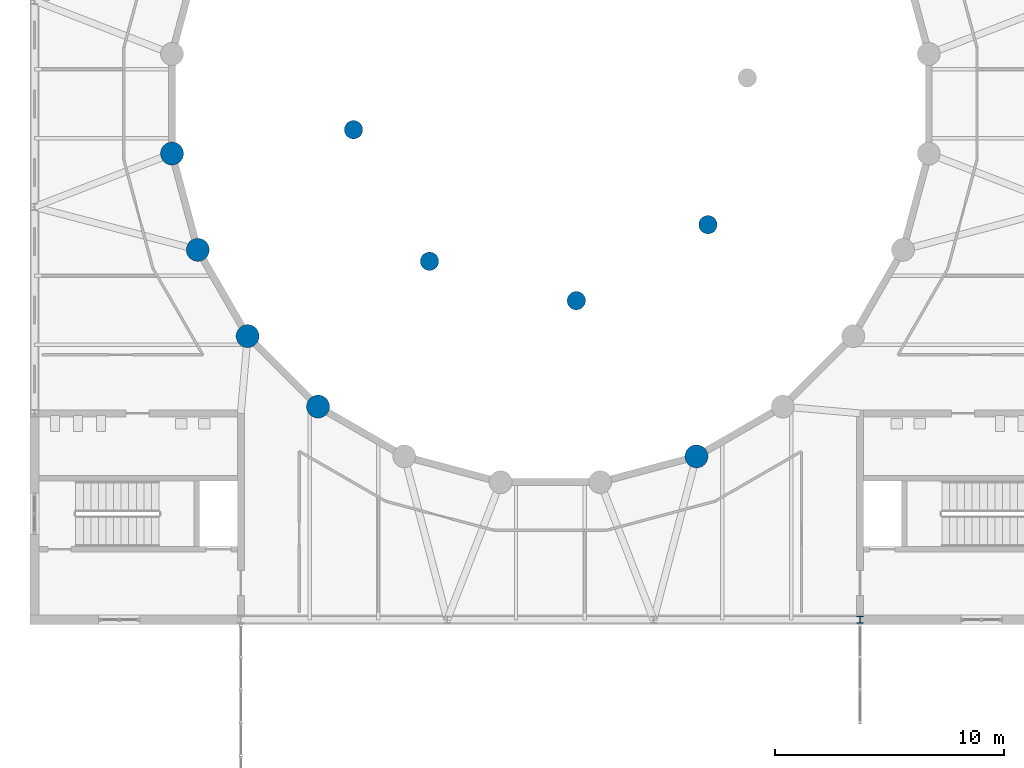
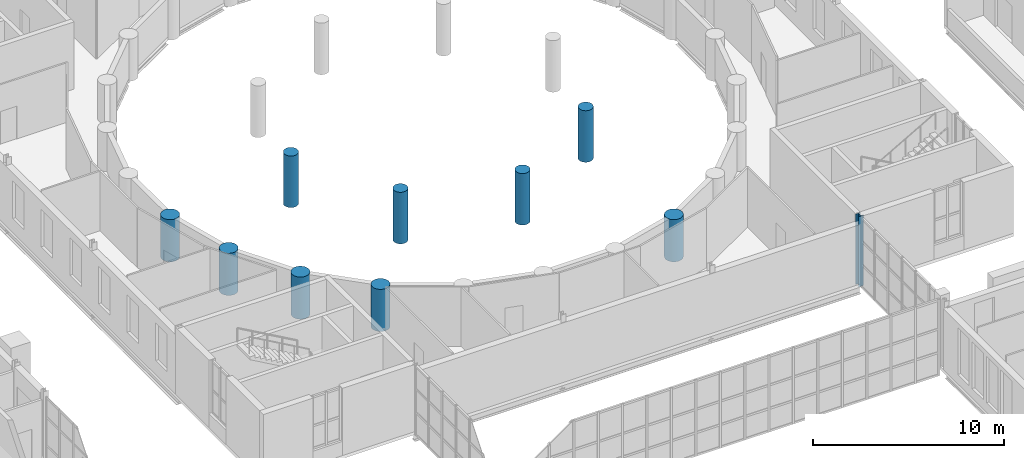
# One storey, part 12 of 134: 10 columns.
"""IFC4 building model written with IfcOpenShell, lengths in metres."""

from ifc_helpers import new_model, si_unit, direction, frame, origin, origin_2d, place, context, subcontext, project, spatial, circle, i_section, extrude, material, material_profile, profile_set, type_object, element, save


model = new_model("IFC4")

# Units and contexts
model_context = context("Model", 3, precision=1e-05, world=origin(), true_north=direction((0.0, 1.0)))
body_context = subcontext(model_context, "Body", "Model", "MODEL_VIEW")
ifc_project = project(units=[si_unit("LENGTHUNIT", "METRE"), si_unit("AREAUNIT", "SQUARE_METRE"), si_unit("VOLUMEUNIT", "CUBIC_METRE"), si_unit("PLANEANGLEUNIT", "RADIAN"), si_unit("MASSUNIT", "GRAM", prefix="KILO")], contexts=[model_context])

# Site, building, storey
site_placement = place(None, origin())
site = spatial("IfcSite", under=ifc_project, at=site_placement, CompositionType="ELEMENT")
building_placement = place(site_placement, origin())
building = spatial("IfcBuilding", under=site, at=building_placement, Name="Golden Quay Civic Hall", CompositionType="ELEMENT")
storey_placement = place(building_placement, frame((0.0, 0.0, 5.39990234375)))
storey = spatial("IfcBuildingStorey", under=building, at=storey_placement, Name="L01", CompositionType="ELEMENT", Elevation=5.39990234375)

# Columns
ifc_material_1 = material(Name="Concrete C50/60", Category="concrete")
ifc_material_profile_1 = material_profile(ifc_material_1, circle(Radius=0.5, at=origin_2d()), Name="RC D1000")
ifc_profile_set_1 = profile_set([ifc_material_profile_1], Name="Concrete C50/60")
column_type_1 = type_object("IfcColumnType", Name="Reinforced concrete column D1000", PredefinedType="COLUMN", material=ifc_profile_set_1)
for number, where, z_axis, x_axis, name in (
    (1, (69.0, 83.32763671875, -0.199951171875), (0.0, 0.0, 1.0), (1.0, 0.0, 0.0), "Rotunda colonnade column 13"),
    (2, (70.12451171875, 79.13134765625, -0.199951171875), (0.0, 0.0, 1.0), (1.0, 0.0, 0.0), "Rotunda colonnade column 14"),
    (3, (72.296630859375, 75.36865234375, -0.199951171875), (0.0, 0.0, 1.0), (1.0, 0.0, 0.0), "Rotunda colonnade column 15"),
    (4, (75.36865234375, 72.296630859375, -0.199951171875), (0.0, 0.0, 1.0), (1.0, 0.0, 0.0), "Rotunda colonnade column 16"),
    (5, (91.86865234375, 70.12451171875, -0.199951171875), (0.0, 0.0, 1.0), (1.0, 0.0, 0.0), "Rotunda colonnade column 20"),
):
    element("IfcColumn", number, at=place(storey_placement, frame(where, z_axis=z_axis, x_axis=x_axis)), inside=storey, type_object=column_type_1, Name=name, PredefinedType="COLUMN", context=body_context, shape_type="SweptSolid", body=[
        extrude(circle(Radius=0.5, at=origin_2d()), origin(), (0.0, 0.0, 1.0), 2.699951171875),
    ])
ifc_material_2 = material(Name="Concrete C50/60", Category="concrete")
ifc_material_profile_2 = material_profile(ifc_material_2, circle(Radius=0.39990234375, at=origin_2d()), Name="RC D800")
ifc_profile_set_2 = profile_set([ifc_material_profile_2], Name="Concrete C50/60")
column_type_2 = type_object("IfcColumnType", Name="Reinforced concrete column D800", PredefinedType="COLUMN", material=ifc_profile_set_2)
for number, where, z_axis, x_axis, name in (
    (6, (76.9150390625, 84.369873046875, -0.199951171875), (0.0, 0.0, 1.0), (1.0, 0.0, 0.0), "Rotunda inner column 5"),
    (7, (80.228759765625, 78.630126953125, -0.199951171875), (0.0, 0.0, 1.0), (1.0, 0.0, 0.0), "Rotunda inner column 6"),
    (8, (86.630126953125, 76.9150390625, -0.199951171875), (0.0, 0.0, 1.0), (1.0, 0.0, 0.0), "Rotunda inner column 7"),
    (9, (92.369873046875, 80.228759765625, -0.199951171875), (0.0, 0.0, 1.0), (1.0, 0.0, 0.0), "Rotunda inner column 8"),
):
    element("IfcColumn", number, at=place(storey_placement, frame(where, z_axis=z_axis, x_axis=x_axis)), inside=storey, type_object=column_type_2, Name=name, PredefinedType="COLUMN", context=body_context, shape_type="SweptSolid", body=[
        extrude(circle(Radius=0.39990234375, at=origin_2d()), origin(), (0.0, 0.0, 1.0), 3.300048828125),
    ])
ifc_material_3 = material(Name="Steel S355", Category="steel")
ifc_material_profile_3 = material_profile(ifc_material_3, i_section(OverallWidth=0.300048828125, OverallDepth=0.300048828125, WebThickness=0.010986328125, FlangeThickness=0.01904296875, FilletRadius=0.027099609375, at=origin_2d()), Name="HEB 300")
ifc_profile_set_3 = profile_set([ifc_material_profile_3], Name="Steel S355")
column_type_3 = type_object("IfcColumnType", Name="Steel column HEB 300", PredefinedType="COLUMN", material=ifc_profile_set_3)
column_placement = place(storey_placement, frame((99.0, 63.0, -0.199951171875), z_axis=(0.0, 0.0, 1.0), x_axis=(1.0, 0.0, 0.0)))
element("IfcColumn", 10, at=column_placement, inside=storey, type_object=column_type_3, Name="Base column 10", PredefinedType="COLUMN", context=body_context, shape_type="SweptSolid", body=[
    extrude(i_section(OverallWidth=0.300048828125, OverallDepth=0.300048828125, WebThickness=0.010986328125, FlangeThickness=0.01904296875, FilletRadius=0.027099609375, at=origin_2d()), origin(), (0.0, 0.0, 1.0), 4.5),
])

save(model, "model.ifc")
